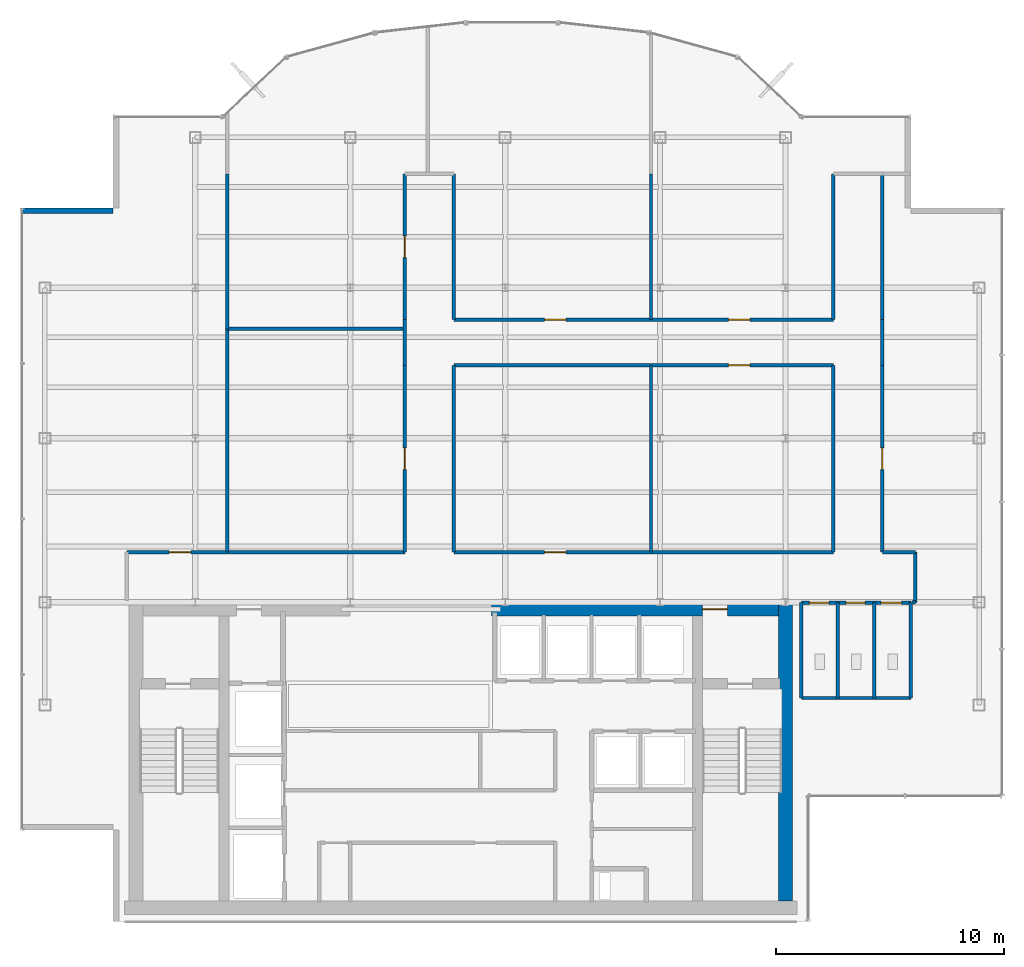
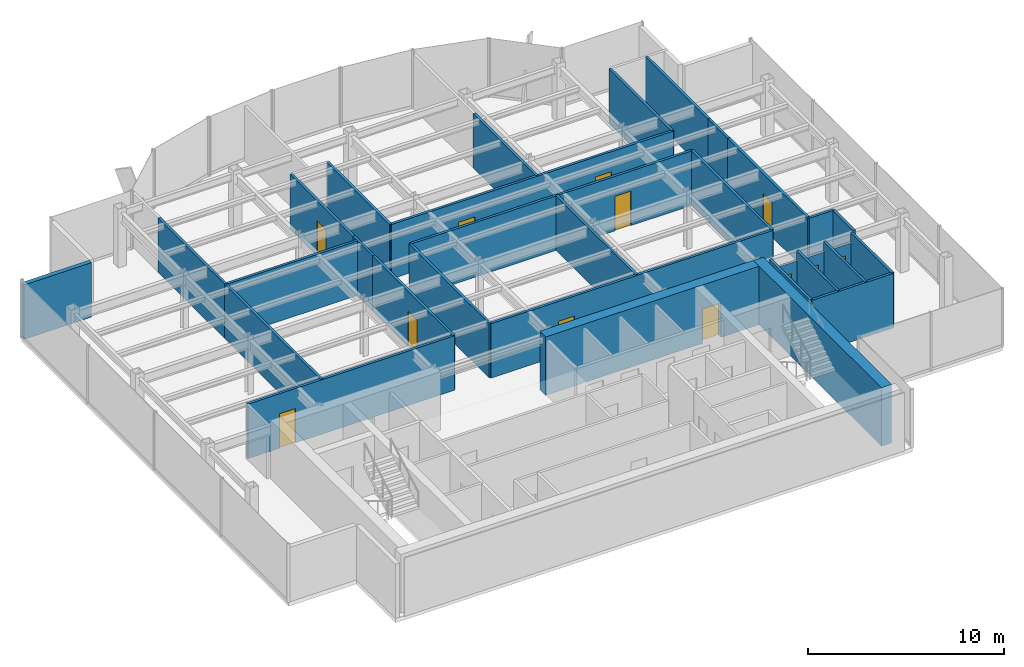
# One storey, part 18 of 22: 31 walls, 12 doors, 12 openings.
"""IFC4 building model written with IfcOpenShell, lengths in metres."""

import ifcopenshell
import ifcopenshell.guid

model = None  # the IFC model being written
_history = None  # IfcOwnerHistory: only IFC2X3 demands one
_inside = {}  # id of a spatial element -> (the spatial element, [elements in it])
_under = {}  # id of a project, library or spatial element -> (it, [spatial elements below it])
_declared = {}  # id of a project -> (the project, [libraries it declares])
_typed = {}  # id of a type object -> (the type object, [elements of that type])
_made_of = {}  # id of a material, layer set ... -> (it, [elements and type objects made of it])


def new_model(schema):
    """Start an empty IFC model of exactly this schema.

    Asked for "IFC4X3", IfcOpenShell would pick the latest addendum, in which some entities
    have other attributes; the version numbers below select the first issue.
    IFC2X3 requires an IfcOwnerHistory on every rooted entity: one is made here for all.
    """
    global model, _history
    if schema == "IFC4X3":
        model = ifcopenshell.file(schema_version=(4, 3, 0, 0))
    else:
        model = ifcopenshell.file(schema=schema)
    _inside.clear()
    _under.clear()
    _declared.clear()
    _typed.clear()
    _made_of.clear()
    _history = None
    if model.schema == "IFC2X3":
        org = make("IfcOrganization", Name="unknown")
        user = make(
            "IfcPersonAndOrganization",
            ThePerson=make("IfcPerson", FamilyName="unknown"),
            TheOrganization=org,
        )
        app = make(
            "IfcApplication",
            ApplicationDeveloper=org,
            Version="unknown",
            ApplicationFullName="unknown",
            ApplicationIdentifier="unknown",
        )
        _history = make(
            "IfcOwnerHistory",
            OwningUser=user,
            OwningApplication=app,
            ChangeAction="ADDED",
            CreationDate=0,
        )
    return model


def make(cls, **values):
    """One entity of the class cls with the attributes given. An attribute that is None is left unset."""
    return model.create_entity(
        cls, **{name: value for name, value in values.items() if value is not None}
    )


def rooted(cls, **values):
    """An entity with a GlobalId (a new one), such as an element, a storey or a relation."""
    return make(cls, GlobalId=ifcopenshell.guid.new(), OwnerHistory=_history, **values)


def si_unit(unit_type, name, prefix=None):
    """IfcSIUnit, for example si_unit("LENGTHUNIT", "METRE", prefix="MILLI")."""
    return make("IfcSIUnit", UnitType=unit_type, Prefix=prefix, Name=name)


def derived_unit(unit_type, elements):
    """IfcDerivedUnit: a product of units, each with its exponent."""
    return make(
        "IfcDerivedUnit",
        Elements=[
            make("IfcDerivedUnitElement", Unit=unit, Exponent=power)
            for unit, power in elements
        ],
        UnitType=unit_type,
    )


def assignment(units):
    """IfcUnitAssignment: the units of a project."""
    return None if units is None else make("IfcUnitAssignment", Units=units)


def point(xyz):
    """IfcCartesianPoint."""
    return None if xyz is None else make("IfcCartesianPoint", Coordinates=xyz)


def direction(xyz):
    """IfcDirection."""
    return None if xyz is None else make("IfcDirection", DirectionRatios=xyz)


def frame(location, z_axis=None, x_axis=None):
    """IfcAxis2Placement3D, a coordinate frame: its origin and axes. An axis left out is left unset."""
    return make(
        "IfcAxis2Placement3D",
        Location=point(location),
        Axis=direction(z_axis),
        RefDirection=direction(x_axis),
    )


def frame_2d(location, x_axis=None):
    """IfcAxis2Placement2D, a coordinate frame in the plane: its origin and x axis."""
    return make(
        "IfcAxis2Placement2D", Location=point(location), RefDirection=direction(x_axis)
    )


def origin():
    """The frame at (0, 0, 0) with its axes left unset."""
    return frame((0.0, 0.0, 0.0))


def place(relative_to, where):
    """IfcLocalPlacement: puts the frame where relative to a parent placement (None: the world)."""
    return make(
        "IfcLocalPlacement", PlacementRelTo=relative_to, RelativePlacement=where
    )


def context(
    kind, dimensions, precision=None, world=None, true_north=None, identifier=None
):
    """IfcGeometricRepresentationContext, for example the 3D "Model" context."""
    return make(
        "IfcGeometricRepresentationContext",
        ContextIdentifier=identifier,
        ContextType=kind,
        CoordinateSpaceDimension=dimensions,
        Precision=precision,
        WorldCoordinateSystem=world,
        TrueNorth=true_north,
    )


def subcontext(parent, identifier, kind, view, scale=None):
    """IfcGeometricRepresentationSubContext, for example "Body" below "Model"."""
    return make(
        "IfcGeometricRepresentationSubContext",
        ContextIdentifier=identifier,
        ContextType=kind,
        ParentContext=parent,
        TargetScale=scale,
        TargetView=view,
    )


def project(units=None, contexts=None):
    """IfcProject with its units and contexts."""
    return rooted(
        "IfcProject",
        Name="project",
        RepresentationContexts=contexts,
        UnitsInContext=assignment(units),
    )


def spatial(cls, under=None, at=None, **own):
    """A site, building, storey or space (cls), placed at a placement, below another one or the project."""
    s = rooted(cls, ObjectPlacement=at, **own)
    if under is not None:
        _under.setdefault(under.id(), (under, []))[1].append(s)
    return s


def profile(cls, at=None, kind="AREA", **sizes):
    """A parametric profile (cls). Its sizes go by their IFC names, for example OverallWidth=200.0."""
    return make(cls, ProfileType=kind, Position=at, **sizes)


def rectangle(**sizes):
    """IfcRectangleProfileDef."""
    return profile("IfcRectangleProfileDef", **sizes)


def extrude(swept, where, along, depth):
    """IfcExtrudedAreaSolid: the profile swept, set in the frame where, extruded along a direction by depth."""
    return make(
        "IfcExtrudedAreaSolid",
        SweptArea=swept,
        Position=where,
        ExtrudedDirection=direction(along),
        Depth=depth,
    )


def shape(context_of_items, identifier, shape_type, items):
    """IfcShapeRepresentation: the items that make up one representation, for example the "Body"."""
    return make(
        "IfcShapeRepresentation",
        ContextOfItems=context_of_items,
        RepresentationIdentifier=identifier,
        RepresentationType=shape_type,
        Items=items,
    )


def source(mapping_origin, context_of_items, identifier, shape_type, items):
    """IfcRepresentationMap: a shape defined once, which mapped items show again and again."""
    return make(
        "IfcRepresentationMap",
        MappingOrigin=mapping_origin,
        MappedRepresentation=shape(context_of_items, identifier, shape_type, items),
    )


def transform(
    local_origin,
    x_axis=None,
    y_axis=None,
    z_axis=None,
    scale=None,
    scale2=None,
    scale3=None,
    uniform=True,
):
    """IfcCartesianTransformationOperator3D, or its non-uniform kind. x_axis, y_axis, z_axis: its Axis1, 2, 3."""
    if uniform:
        return make(
            "IfcCartesianTransformationOperator3D",
            Axis1=direction(x_axis),
            Axis2=direction(y_axis),
            LocalOrigin=point(local_origin),
            Scale=scale,
            Axis3=direction(z_axis),
        )
    return make(
        "IfcCartesianTransformationOperator3DnonUniform",
        Axis1=direction(x_axis),
        Axis2=direction(y_axis),
        LocalOrigin=point(local_origin),
        Scale=scale,
        Axis3=direction(z_axis),
        Scale2=scale2,
        Scale3=scale3,
    )


def mapped(mapping_source, mapping_target):
    """IfcMappedItem: shows the shape of a source again, moved by a transform."""
    return make(
        "IfcMappedItem", MappingSource=mapping_source, MappingTarget=mapping_target
    )


def material(Name=None, Category=None):
    """IfcMaterial."""
    return make("IfcMaterial", Name=Name, Category=Category)


def layer(
    of_material, thickness, ventilated=None, Name=None, Category=None, Priority=None
):
    """IfcMaterialLayer: one layer of a wall or slab, of a material (None: an air gap)."""
    return make(
        "IfcMaterialLayer",
        Material=of_material,
        LayerThickness=thickness,
        IsVentilated=ventilated,
        Name=Name,
        Category=Category,
        Priority=Priority,
    )


def layer_set(layers, Name=None):
    """IfcMaterialLayerSet."""
    return make("IfcMaterialLayerSet", MaterialLayers=layers, LayerSetName=Name)


def made_of(thing, what):
    """Note that an element or type object is made of a material, layer set ...; save() writes the relation."""
    if what is not None:
        _made_of.setdefault(what.id(), (what, []))[1].append(thing)
    return thing


def type_object(cls, material=None, **own):
    """A type object (cls), such as IfcWallType, which elements share."""
    return made_of(rooted(cls, **own), material)


def element(
    cls,
    number,
    at=None,
    inside=None,
    cuts=None,
    type_object=None,
    material=None,
    context=None,
    identifier="Body",
    shape_type=None,
    held_by="IfcProductDefinitionShape",
    body=None,
    shapes=None,
    **own,
):
    """One element of the class cls, such as IfcWall. Its Tag is "e" and its number.

    at: its placement. inside: the storey or other place that contains it. cuts: it is an
    opening in that element (IfcRelVoidsElement). A single representation is given by context,
    identifier, shape_type and body (its items); several are given by shapes. held_by: the class
    of the entity that holds the representations. save() writes the other relations.
    """
    e = rooted(cls, Tag="e%d" % number, ObjectPlacement=at, **own)
    if body is not None:
        shapes = [shape(context, identifier, shape_type, body)]
    if shapes is not None:
        e.Representation = make(held_by, Representations=shapes)
    if inside is not None:
        _inside.setdefault(inside.id(), (inside, []))[1].append(e)
    if cuts is not None:
        rooted(
            "IfcRelVoidsElement", RelatingBuildingElement=cuts, RelatedOpeningElement=e
        )
    if type_object is not None:
        _typed.setdefault(type_object.id(), (type_object, []))[1].append(e)
    return made_of(e, material)


def fill(opening, filler):
    """IfcRelFillsElement: the door or window that sits in an opening."""
    return rooted(
        "IfcRelFillsElement",
        RelatingOpeningElement=opening,
        RelatedBuildingElement=filler,
    )


def aggregate(whole, parts):
    """IfcRelAggregates: a whole, such as a stair, and the parts it consists of."""
    return rooted("IfcRelAggregates", RelatingObject=whole, RelatedObjects=parts)


def save(model, path):
    """Write the relations noted so far, then the file.

    IfcRelAggregates (storeys below a building ...), IfcRelContainedInSpatialStructure (elements
    in a storey), IfcRelDefinesByType, IfcRelAssociatesMaterial and IfcRelDeclares: one each for
    every whole, place, type object, material and project.
    """
    for whole, parts in _under.values():
        aggregate(whole, parts)
    for where, things in _inside.values():
        rooted(
            "IfcRelContainedInSpatialStructure",
            RelatedElements=things,
            RelatingStructure=where,
        )
    for kind, things in _typed.values():
        rooted("IfcRelDefinesByType", RelatedObjects=things, RelatingType=kind)
    for what, things in _made_of.values():
        rooted("IfcRelAssociatesMaterial", RelatedObjects=things, RelatingMaterial=what)
    for by, libraries in _declared.values():
        rooted("IfcRelDeclares", RelatingContext=by, RelatedDefinitions=libraries)
    model.write(path)


model = new_model("IFC4")

# Units and contexts
model_context = context("Model", 3, precision=1e-05, world=origin(), true_north=direction((0.0, 1.0)))
body_context = subcontext(model_context, "Body", "Model", "MODEL_VIEW")
ifc_project = project(units=[si_unit("LENGTHUNIT", "METRE"), si_unit("AREAUNIT", "SQUARE_METRE"), si_unit("VOLUMEUNIT", "CUBIC_METRE"), si_unit("PLANEANGLEUNIT", "RADIAN"), si_unit("MASSUNIT", "GRAM", prefix="KILO"), derived_unit("THERMALTRANSMITTANCEUNIT", [(si_unit("POWERUNIT", "WATT"), 1), (si_unit("LENGTHUNIT", "METRE"), -2), (si_unit("THERMODYNAMICTEMPERATUREUNIT", "KELVIN"), -1)])], contexts=[model_context])

# Site, building, storey
site_placement = place(None, origin())
site = spatial("IfcSite", under=ifc_project, at=site_placement, CompositionType="ELEMENT")
building_placement = place(site_placement, origin())
building = spatial("IfcBuilding", under=site, at=building_placement, Name="Skarnbrae Concourse Arena and Tower", CompositionType="ELEMENT")
storey_placement = place(building_placement, frame((0.0, 0.0, 258.800048828125)))
storey = spatial("IfcBuildingStorey", under=building, at=storey_placement, Name="L67", CompositionType="ELEMENT", Elevation=258.800048828125)

# Wall
ifc_material_1 = material(Name="Concrete 50 MPa (C50/60)", Category="concrete")
ifc_layer_1 = layer(ifc_material_1, 0.60009765625)
ifc_layer_set_1 = layer_set([ifc_layer_1], Name="Concrete 50 MPa (C50/60)")
wall_type_1 = type_object("IfcWallType", Name="WALL-CORE-600-C50", PredefinedType="SHEAR", material=ifc_layer_set_1)
shared_shape_1 = source(origin(), body_context, "Body", "SweptSolid", [
    extrude(rectangle(XDim=13.10009765625, YDim=0.60009765625, at=frame_2d((6.550048828125, 0.0))), origin(), (0.0, 0.0, 1.0), 3.64990234375),
])
wall_1_placement = place(storey_placement, frame((33.5, 0.89990234375, 0.0), z_axis=(0.0, 0.0, 1.0), x_axis=(0.0, 1.0, 0.0)))
element("IfcWall", 1, at=wall_1_placement, inside=storey, type_object=wall_type_1, Name="L67 Rear core shear wall CW-E", PredefinedType="SHEAR", context=body_context, shape_type="MappedRepresentation", body=[
    mapped(shared_shape_1, transform((0.0, 0.0, 0.0))),
])

# Wall, opening, door
shared_shape_2 = source(origin(), body_context, "Body", "SweptSolid", [
    extrude(rectangle(XDim=12.599853515625, YDim=0.60009765625, at=frame_2d((6.2998046875, 0.0))), origin(), (0.0, 0.0, 1.0), 3.64990234375),
])
wall_2_placement = place(storey_placement, frame((20.60009765625, 13.699951171875, 0.0), z_axis=(0.0, 0.0, 1.0), x_axis=(1.0, 0.0, 0.0)))
wall_2 = element("IfcWall", 2, at=wall_2_placement, inside=storey, type_object=wall_type_1, Name="L67 Rear core shear wall CW-NE", PredefinedType="SHEAR", context=body_context, shape_type="MappedRepresentation", body=[
    mapped(shared_shape_2, transform((0.0, 0.0, 0.0))),
])
opening_1_placement = place(wall_2_placement, frame((9.25, 0.0, 0.0)))
opening_1 = element("IfcOpeningElement", 3, at=opening_1_placement, cuts=wall_2, Name="Opening DT-03", PredefinedType="OPENING", context=body_context, shape_type="SweptSolid", body=[
    extrude(rectangle(XDim=1.10009765625, YDim=2.14990234375, at=frame_2d((0.550048828125, 1.074951171875))), frame((0.0, 0.31005859375, 0.0), z_axis=(0.0, -1.0, 0.0), x_axis=(1.0, 0.0, 0.0)), (0.0, 0.0, 1.0), 0.6201171875),
])
ifc_material_2 = material(Name="Steel CSA G40.21 350W", Category="steel")
door_type_1 = type_object("IfcDoorType", Name="DOOR-FIRE-1100-90M", OperationType="NOTDEFINED", PredefinedType="DOOR", material=ifc_material_2)
shared_shape_3 = source(origin(), body_context, "Body", "SweptSolid", [
    extrude(rectangle(XDim=1.10009765625, YDim=2.14990234375, at=frame_2d((0.550048828125, 1.074951171875))), frame((0.0, 0.02490234375, 0.0), z_axis=(0.0, -1.0, 0.0), x_axis=(1.0, 0.0, 0.0)), (0.0, 0.0, 1.0), 0.050048828125),
])
door_1_placement = place(opening_1_placement, origin())
door_1 = element("IfcDoor", 4, at=door_1_placement, inside=storey, type_object=door_type_1, Name="D-2021 Stair ST-2 Vestibule Door", OperationType="SINGLE_SWING_LEFT", OverallHeight=2.14990234375, OverallWidth=1.10009765625, PredefinedType="DOOR", context=body_context, shape_type="MappedRepresentation", body=[
    mapped(shared_shape_3, transform((0.0, 0.0, 0.0))),
])
fill(opening_1, door_1)

# Walls
ifc_material_3 = material(Name="Precast concrete 40 MPa (C40/50)", Category="concrete")
ifc_layer_2 = layer(ifc_material_3, 0.25)
ifc_layer_set_2 = layer_set([ifc_layer_2], Name="Precast concrete 40 MPa (C40/50)")
wall_type_2 = type_object("IfcWallType", Name="WALL-EXT-SPANDREL-250", PredefinedType="STANDARD", material=ifc_layer_set_2)
shared_shape_4 = source(origin(), body_context, "Body", "SweptSolid", [
    extrude(rectangle(XDim=4.0, YDim=0.25, at=frame_2d((2.0, 0.0))), origin(), (0.0, 0.0, 1.0), 3.39990234375),
])
wall_3_placement = place(storey_placement, frame((4.0, 31.175048828125, 0.0), z_axis=(0.0, 0.0, 1.0), x_axis=(-1.0, 0.0, 0.0)))
element("IfcWall", 5, at=wall_3_placement, inside=storey, type_object=wall_type_2, Name="L67 Notched corner insulated return wall 17", PredefinedType="STANDARD", context=body_context, shape_type="MappedRepresentation", body=[
    mapped(shared_shape_4, transform((0.0, 0.0, 0.0))),
])
ifc_material_4 = material(Name="Gypsum board on cold-formed steel studs", Category="steel")
ifc_layer_3 = layer(ifc_material_4, 0.14990234375)
ifc_layer_set_3 = layer_set([ifc_layer_3], Name="Gypsum board on cold-formed steel studs")
wall_type_3 = type_object("IfcWallType", Name="WALL-PART-150", PredefinedType="PARTITIONING", material=ifc_layer_set_3)
shared_shape_5 = source(origin(), body_context, "Body", "SweptSolid", [
    extrude(rectangle(XDim=4.800048828125, YDim=0.14990234375, at=frame_2d((2.39990234375, 0.0))), origin(), (0.0, 0.0, 1.0), 3.39990234375),
])
wall_4_placement = place(storey_placement, frame((34.199951171875, 9.800048828125, 0.0), z_axis=(0.0, 0.0, 1.0), x_axis=(1.0, 0.0, 0.0)))
element("IfcWall", 6, at=wall_4_placement, inside=storey, type_object=wall_type_3, Name="L67 Interior partition wall W-L67-WC-S", PredefinedType="PARTITIONING", context=body_context, shape_type="MappedRepresentation", body=[
    mapped(shared_shape_5, transform((0.0, 0.0, 0.0))),
])
shared_shape_6 = source(origin(), body_context, "Body", "SweptSolid", [
    extrude(rectangle(XDim=4.179931640625, YDim=0.14990234375, at=frame_2d((2.08984375, 0.0))), origin(), (0.0, 0.0, 1.0), 3.39990234375),
])
for number, where, z_axis, x_axis, name in (
    (7, (39.0, 9.800048828125, 0.0), (0.0, 0.0, 1.0), (0.0, 1.0, 0.0), "L67 Interior partition wall W-L67-WC-E"),
    (8, (34.199951171875, 9.800048828125, 0.0), (0.0, 0.0, 1.0), (0.0, 1.0, 0.0), "L67 Interior partition wall W-L67-WC-W"),
    (9, (35.800048828125, 9.800048828125, 0.0), (0.0, 0.0, 1.0), (0.0, 1.0, 0.0), "L67 Interior partition wall W-L67-WC-D1"),
    (10, (37.39990234375, 9.800048828125, 0.0), (0.0, 0.0, 1.0), (0.0, 1.0, 0.0), "L67 Interior partition wall W-L67-WC-D2"),
):
    element("IfcWall", number, at=place(storey_placement, frame(where, z_axis=z_axis, x_axis=x_axis)), inside=storey, type_object=wall_type_3, Name=name, PredefinedType="PARTITIONING", context=body_context, shape_type="MappedRepresentation", body=[
        mapped(shared_shape_6, transform((0.0, 0.0, 0.0))),
    ])
ifc_layer_4 = layer(ifc_material_4, 0.14990234375)
ifc_layer_set_4 = layer_set([ifc_layer_4], Name="Gypsum board on cold-formed steel studs")
wall_type_4 = type_object("IfcWallType", Name="WALL-PART-150-1HR", PredefinedType="PARTITIONING", material=ifc_layer_set_4)
shared_shape_7 = source(origin(), body_context, "Body", "SweptSolid", [
    extrude(rectangle(XDim=2.199951171875, YDim=0.14990234375, at=frame_2d((1.10009765625, 0.0))), origin(), (0.0, 0.0, 1.0), 3.39990234375),
])
wall_5_placement = place(storey_placement, frame((39.199951171875, 16.199951171875, 0.0), z_axis=(0.0, 0.0, 1.0), x_axis=(0.0, -1.0, 0.0)))
element("IfcWall", 11, at=wall_5_placement, inside=storey, type_object=wall_type_4, Name="L67 Interior partition wall W-L67-COR-15", PredefinedType="PARTITIONING", context=body_context, shape_type="MappedRepresentation", body=[
    mapped(shared_shape_7, transform((0.0, 0.0, 0.0))),
])

# Wall, opening, door
shared_shape_8 = source(origin(), body_context, "Body", "SweptSolid", [
    extrude(rectangle(XDim=12.199951171875, YDim=0.14990234375, at=frame_2d((6.10009765625, 0.0))), origin(), (0.0, 0.0, 1.0), 3.39990234375),
])
wall_6_placement = place(storey_placement, frame((4.60009765625, 16.199951171875, 0.0), z_axis=(0.0, 0.0, 1.0), x_axis=(1.0, 0.0, 0.0)))
wall_6 = element("IfcWall", 12, at=wall_6_placement, inside=storey, type_object=wall_type_4, Name="L67 Interior partition wall W-L67-COR-02", PredefinedType="PARTITIONING", context=body_context, shape_type="MappedRepresentation", body=[
    mapped(shared_shape_8, transform((0.0, 0.0, 0.0))),
])
opening_2_placement = place(wall_6_placement, frame((1.85498046875, 0.0, 0.0)))
opening_2 = element("IfcOpeningElement", 13, at=opening_2_placement, cuts=wall_6, Name="Opening DT-04", PredefinedType="OPENING", context=body_context, shape_type="SweptSolid", body=[
    extrude(rectangle(XDim=0.949951171875, YDim=2.14990234375, at=frame_2d((0.47509765625, 1.074951171875))), frame((0.0, 0.0849609375, 0.0), z_axis=(0.0, -1.0, 0.0), x_axis=(1.0, 0.0, 0.0)), (0.0, 0.0, 1.0), 0.169921875),
])
door_type_2 = type_object("IfcDoorType", Name="DOOR-INT-950-45M", OperationType="NOTDEFINED", PredefinedType="DOOR", material=ifc_material_2)
shared_shape_9 = source(origin(), body_context, "Body", "SweptSolid", [
    extrude(rectangle(XDim=0.949951171875, YDim=2.14990234375, at=frame_2d((0.47509765625, 1.074951171875))), frame((0.0, 0.02490234375, 0.0), z_axis=(0.0, -1.0, 0.0), x_axis=(1.0, 0.0, 0.0)), (0.0, 0.0, 1.0), 0.050048828125),
])
door_2_placement = place(opening_2_placement, origin())
door_2 = element("IfcDoor", 14, at=door_2_placement, inside=storey, type_object=door_type_2, Name="D-2040 L67 Suite Door 01", OperationType="SINGLE_SWING_LEFT", OverallHeight=2.14990234375, OverallWidth=0.949951171875, PredefinedType="DOOR", context=body_context, shape_type="MappedRepresentation", body=[
    mapped(shared_shape_9, transform((0.0, 0.0, 0.0))),
])
fill(opening_2, door_2)

shared_shape_10 = source(origin(), body_context, "Body", "SweptSolid", [
    extrude(rectangle(XDim=8.199951171875, YDim=0.14990234375, at=frame_2d((4.10009765625, 0.0))), origin(), (0.0, 0.0, 1.0), 3.39990234375),
])
wall_7_placement = place(storey_placement, frame((16.800048828125, 16.199951171875, 0.0), z_axis=(0.0, 0.0, 1.0), x_axis=(0.0, 1.0, 0.0)))
wall_7 = element("IfcWall", 15, at=wall_7_placement, inside=storey, type_object=wall_type_4, Name="L67 Interior partition wall W-L67-COR-03", PredefinedType="PARTITIONING", context=body_context, shape_type="MappedRepresentation", body=[
    mapped(shared_shape_10, transform((0.0, 0.0, 0.0))),
])
opening_3_placement = place(wall_7_placement, frame((3.625, 0.0, 0.0)))
opening_3 = element("IfcOpeningElement", 16, at=opening_3_placement, cuts=wall_7, Name="Opening DT-04", PredefinedType="OPENING", context=body_context, shape_type="SweptSolid", body=[
    extrude(rectangle(XDim=0.949951171875, YDim=2.14990234375, at=frame_2d((0.47509765625, 1.074951171875))), frame((0.0, 0.0849609375, 0.0), z_axis=(0.0, -1.0, 0.0), x_axis=(1.0, 0.0, 0.0)), (0.0, 0.0, 1.0), 0.169921875),
])
door_3_placement = place(opening_3_placement, origin())
door_3 = element("IfcDoor", 17, at=door_3_placement, inside=storey, type_object=door_type_2, Name="D-2041 L67 Suite Door 02", OperationType="SINGLE_SWING_RIGHT", OverallHeight=2.14990234375, OverallWidth=0.949951171875, PredefinedType="DOOR", context=body_context, shape_type="MappedRepresentation", body=[
    mapped(shared_shape_9, transform((0.0, 0.0, 0.0))),
])
fill(opening_3, door_3)

wall_8_placement = place(storey_placement, frame((37.75, 24.39990234375, 0.0), z_axis=(0.0, 0.0, 1.0), x_axis=(0.0, -1.0, 0.0)))
wall_8 = element("IfcWall", 18, at=wall_8_placement, inside=storey, type_object=wall_type_4, Name="L67 Interior partition wall W-L67-COR-13", PredefinedType="PARTITIONING", context=body_context, shape_type="MappedRepresentation", body=[
    mapped(shared_shape_10, transform((0.0, 0.0, 0.0))),
])
opening_4_placement = place(wall_8_placement, frame((3.625, 0.0, 0.0)))
opening_4 = element("IfcOpeningElement", 19, at=opening_4_placement, cuts=wall_8, Name="Opening DT-04", PredefinedType="OPENING", context=body_context, shape_type="SweptSolid", body=[
    extrude(rectangle(XDim=0.949951171875, YDim=2.14990234375, at=frame_2d((0.47509765625, 1.074951171875))), frame((0.0, 0.0849609375, 0.0), z_axis=(0.0, -1.0, 0.0), x_axis=(1.0, 0.0, 0.0)), (0.0, 0.0, 1.0), 0.169921875),
])
door_4_placement = place(opening_4_placement, origin())
door_4 = element("IfcDoor", 20, at=door_4_placement, inside=storey, type_object=door_type_2, Name="D-2047 L67 Suite Door 08", OperationType="SINGLE_SWING_RIGHT", OverallHeight=2.14990234375, OverallWidth=0.949951171875, PredefinedType="DOOR", context=body_context, shape_type="MappedRepresentation", body=[
    mapped(shared_shape_9, transform((0.0, 0.0, 0.0))),
])
fill(opening_4, door_4)

# Walls
for number, where, z_axis, x_axis, name in (
    (21, (35.60009765625, 16.199951171875, 0.0), (0.0, 0.0, 1.0), (0.0, 1.0, 0.0), "L67 Interior partition wall W-L67-COR-18"),
    (22, (18.949951171875, 24.39990234375, 0.0), (0.0, 0.0, 1.0), (0.0, -1.0, 0.0), "L67 Interior partition wall W-L67-COR-20"),
):
    element("IfcWall", number, at=place(storey_placement, frame(where, z_axis=z_axis, x_axis=x_axis)), inside=storey, type_object=wall_type_4, Name=name, PredefinedType="PARTITIONING", context=body_context, shape_type="MappedRepresentation", body=[
        mapped(shared_shape_10, transform((0.0, 0.0, 0.0))),
    ])
wall_9_placement = place(storey_placement, frame((27.60009765625, 24.39990234375, 0.0), z_axis=(0.0, 0.0, 1.0), x_axis=(0.0, -1.0, 0.0)))
element("IfcWall", 23, at=wall_9_placement, inside=storey, type_object=wall_type_3, Name="L67 Interior partition wall W-L67-DEM-26", PredefinedType="PARTITIONING", context=body_context, shape_type="MappedRepresentation", body=[
    mapped(shared_shape_10, transform((0.0, 0.0, 0.0))),
])
shared_shape_11 = source(origin(), body_context, "Body", "SweptSolid", [
    extrude(rectangle(XDim=7.800048828125, YDim=0.14990234375, at=frame_2d((3.89990234375, 0.0))), origin(), (0.0, 0.0, 1.0), 3.39990234375),
])
wall_10_placement = place(storey_placement, frame((9.0, 26.0, 0.0), z_axis=(0.0, 0.0, 1.0), x_axis=(1.0, 0.0, 0.0)))
element("IfcWall", 24, at=wall_10_placement, inside=storey, type_object=wall_type_3, Name="L67 Interior partition wall W-L67-DEM-22", PredefinedType="PARTITIONING", context=body_context, shape_type="MappedRepresentation", body=[
    mapped(shared_shape_11, transform((0.0, 0.0, 0.0))),
])
shared_shape_12 = source(origin(), body_context, "Body", "SweptSolid", [
    extrude(rectangle(XDim=1.449951171875, YDim=0.14990234375, at=frame_2d((0.72509765625, 0.0))), origin(), (0.0, 0.0, 1.0), 3.39990234375),
])
wall_11_placement = place(storey_placement, frame((37.75, 16.199951171875, 0.0), z_axis=(0.0, 0.0, 1.0), x_axis=(1.0, 0.0, 0.0)))
element("IfcWall", 25, at=wall_11_placement, inside=storey, type_object=wall_type_4, Name="L67 Interior partition wall W-L67-COR-14", PredefinedType="PARTITIONING", context=body_context, shape_type="MappedRepresentation", body=[
    mapped(shared_shape_12, transform((0.0, 0.0, 0.0))),
])

# Wall, openings, doors
shared_shape_13 = source(origin(), body_context, "Body", "SweptSolid", [
    extrude(rectangle(XDim=4.800048828125, YDim=0.14990234375, at=frame_2d((2.39990234375, 0.0))), origin(), (0.0, 0.0, 1.0), 2.786865234375),
])
wall_12_placement = place(storey_placement, frame((34.199951171875, 13.97998046875, 0.0), z_axis=(0.0, 0.0, 1.0), x_axis=(1.0, 0.0, 0.0)))
wall_12 = element("IfcWall", 26, at=wall_12_placement, inside=storey, type_object=wall_type_3, Name="L67 Interior partition wall W-L67-WC-N", PredefinedType="PARTITIONING", context=body_context, shape_type="MappedRepresentation", body=[
    mapped(shared_shape_13, transform((0.0, 0.0, 0.0))),
])
opening_5_placement = place(wall_12_placement, frame((0.35009765625, 0.0, 0.0)))
opening_5 = element("IfcOpeningElement", 27, at=opening_5_placement, cuts=wall_12, Name="Opening DT-06", PredefinedType="OPENING", context=body_context, shape_type="SweptSolid", body=[
    extrude(rectangle(XDim=0.85009765625, YDim=2.10009765625, at=frame_2d((0.425048828125, 1.050048828125))), frame((0.0, 0.0849609375, 0.0), z_axis=(0.0, -1.0, 0.0), x_axis=(1.0, 0.0, 0.0)), (0.0, 0.0, 1.0), 0.169921875),
])
opening_6_placement = place(wall_12_placement, frame((1.949951171875, 0.0, 0.0)))
opening_6 = element("IfcOpeningElement", 28, at=opening_6_placement, cuts=wall_12, Name="Opening DT-06", PredefinedType="OPENING", context=body_context, shape_type="SweptSolid", body=[
    extrude(rectangle(XDim=0.85009765625, YDim=2.10009765625, at=frame_2d((0.425048828125, 1.050048828125))), frame((0.0, 0.0849609375, 0.0), z_axis=(0.0, -1.0, 0.0), x_axis=(1.0, 0.0, 0.0)), (0.0, 0.0, 1.0), 0.169921875),
])
opening_7_placement = place(wall_12_placement, frame((3.5, 0.0, 0.0)))
opening_7 = element("IfcOpeningElement", 29, at=opening_7_placement, cuts=wall_12, Name="Opening DT-05", PredefinedType="OPENING", context=body_context, shape_type="SweptSolid", body=[
    extrude(rectangle(XDim=0.89990234375, YDim=2.10009765625, at=frame_2d((0.449951171875, 1.050048828125))), frame((0.0, 0.0849609375, 0.0), z_axis=(0.0, -1.0, 0.0), x_axis=(1.0, 0.0, 0.0)), (0.0, 0.0, 1.0), 0.169921875),
])
ifc_material_5 = material(Name="Architectural oak veneer timber leaf", Category="wood")
door_type_3 = type_object("IfcDoorType", Name="DOOR-INT-850", OperationType="NOTDEFINED", PredefinedType="DOOR", material=ifc_material_5)
shared_shape_14 = source(origin(), body_context, "Body", "SweptSolid", [
    extrude(rectangle(XDim=0.85009765625, YDim=2.10009765625, at=frame_2d((0.425048828125, 1.050048828125))), frame((0.0, 0.02490234375, 0.0), z_axis=(0.0, -1.0, 0.0), x_axis=(1.0, 0.0, 0.0)), (0.0, 0.0, 1.0), 0.050048828125),
])
door_5_placement = place(opening_5_placement, frame((0.85009765625, 0.0, 0.0), z_axis=(0.0, 0.0, 1.0), x_axis=(-1.0, 0.0, 0.0)))
door_5 = element("IfcDoor", 30, at=door_5_placement, inside=storey, type_object=door_type_3, Name="D-2037 Male Washroom Door", OperationType="SINGLE_SWING_LEFT", OverallHeight=2.10009765625, OverallWidth=0.85009765625, PredefinedType="DOOR", context=body_context, shape_type="MappedRepresentation", body=[
    mapped(shared_shape_14, transform((0.0, 0.0, 0.0))),
])
fill(opening_5, door_5)
door_6_placement = place(opening_6_placement, frame((0.85009765625, 0.0, 0.0), z_axis=(0.0, 0.0, 1.0), x_axis=(-1.0, 0.0, 0.0)))
door_6 = element("IfcDoor", 31, at=door_6_placement, inside=storey, type_object=door_type_3, Name="D-2038 Female Washroom Door", OperationType="SINGLE_SWING_RIGHT", OverallHeight=2.10009765625, OverallWidth=0.85009765625, PredefinedType="DOOR", context=body_context, shape_type="MappedRepresentation", body=[
    mapped(shared_shape_14, transform((0.0, 0.0, 0.0))),
])
fill(opening_6, door_6)
door_type_4 = type_object("IfcDoorType", Name="DOOR-INT-900", OperationType="NOTDEFINED", PredefinedType="DOOR", material=ifc_material_5)
shared_shape_15 = source(origin(), body_context, "Body", "SweptSolid", [
    extrude(rectangle(XDim=0.89990234375, YDim=2.10009765625, at=frame_2d((0.449951171875, 1.050048828125))), frame((0.0, 0.02490234375, 0.0), z_axis=(0.0, -1.0, 0.0), x_axis=(1.0, 0.0, 0.0)), (0.0, 0.0, 1.0), 0.050048828125),
])
door_7_placement = place(opening_7_placement, frame((0.89990234375, 0.0, 0.0), z_axis=(0.0, 0.0, 1.0), x_axis=(-1.0, 0.0, 0.0)))
door_7 = element("IfcDoor", 32, at=door_7_placement, inside=storey, type_object=door_type_4, Name="D-2039 Accessible WC Door", OperationType="SINGLE_SWING_LEFT", OverallHeight=2.10009765625, OverallWidth=0.89990234375, PredefinedType="DOOR", context=body_context, shape_type="MappedRepresentation", body=[
    mapped(shared_shape_15, transform((0.0, 0.0, 0.0))),
])
fill(opening_7, door_7)

# Walls
shared_shape_16 = source(origin(), body_context, "Body", "SweptSolid", [
    extrude(rectangle(XDim=0.14990234375, YDim=0.14990234375, at=frame_2d((0.074951171875, 0.0))), origin(), (0.0, 0.0, 1.0), 3.39990234375),
])
wall_13_placement = place(storey_placement, frame((39.199951171875, 14.0, 0.0), z_axis=(0.0, 0.0, 1.0), x_axis=(-1.0, 0.0, 0.0)))
element("IfcWall", 33, at=wall_13_placement, inside=storey, type_object=wall_type_4, Name="L67 Interior partition wall W-L67-COR-16", PredefinedType="PARTITIONING", context=body_context, shape_type="MappedRepresentation", body=[
    mapped(shared_shape_16, transform((0.0, 0.0, 0.0))),
])
shared_shape_17 = source(origin(), body_context, "Body", "SweptSolid", [
    extrude(rectangle(XDim=6.800048828125, YDim=0.14990234375, at=frame_2d((3.39990234375, 0.0))), origin(), (0.0, 0.0, 1.0), 3.39990234375),
])
wall_14_placement = place(storey_placement, frame((9.0, 32.800048828125, 0.0), z_axis=(0.0, 0.0, 1.0), x_axis=(0.0, -1.0, 0.0)))
element("IfcWall", 34, at=wall_14_placement, inside=storey, type_object=wall_type_3, Name="L67 Interior partition wall W-L67-DEM-24", PredefinedType="PARTITIONING", context=body_context, shape_type="MappedRepresentation", body=[
    mapped(shared_shape_17, transform((0.0, 0.0, 0.0))),
])
shared_shape_18 = source(origin(), body_context, "Body", "SweptSolid", [
    extrude(rectangle(XDim=2.0, YDim=0.14990234375, at=frame_2d((1.0, 0.0))), origin(), (0.0, 0.0, 1.0), 3.39990234375),
])
for number, where, z_axis, x_axis, name in (
    (35, (16.800048828125, 24.39990234375, 0.0), (0.0, 0.0, 1.0), (0.0, 1.0, 0.0), "L67 Interior partition wall W-L67-COR-04"),
    (36, (37.75, 26.39990234375, 0.0), (0.0, 0.0, 1.0), (0.0, -1.0, 0.0), "L67 Interior partition wall W-L67-COR-12"),
):
    element("IfcWall", number, at=place(storey_placement, frame(where, z_axis=z_axis, x_axis=x_axis)), inside=storey, type_object=wall_type_4, Name=name, PredefinedType="PARTITIONING", context=body_context, shape_type="MappedRepresentation", body=[
        mapped(shared_shape_18, transform((0.0, 0.0, 0.0))),
    ])

# Wall, opening, door
shared_shape_19 = source(origin(), body_context, "Body", "SweptSolid", [
    extrude(rectangle(XDim=6.400146484375, YDim=0.14990234375, at=frame_2d((3.2001953125, 0.0))), origin(), (0.0, 0.0, 1.0), 3.39990234375),
])
wall_15_placement = place(storey_placement, frame((16.800048828125, 26.39990234375, 0.0), z_axis=(0.0, 0.0, 1.0), x_axis=(0.0, 1.0, 0.0)))
wall_15 = element("IfcWall", 37, at=wall_15_placement, inside=storey, type_object=wall_type_4, Name="L67 Interior partition wall W-L67-COR-05", PredefinedType="PARTITIONING", context=body_context, shape_type="MappedRepresentation", body=[
    mapped(shared_shape_19, transform((0.0, 0.0, 0.0))),
])
opening_8_placement = place(wall_15_placement, frame((2.72509765625, 0.0, 0.0)))
opening_8 = element("IfcOpeningElement", 38, at=opening_8_placement, cuts=wall_15, Name="Opening DT-04", PredefinedType="OPENING", context=body_context, shape_type="SweptSolid", body=[
    extrude(rectangle(XDim=0.949951171875, YDim=2.14990234375, at=frame_2d((0.47509765625, 1.074951171875))), frame((0.0, 0.0849609375, 0.0), z_axis=(0.0, -1.0, 0.0), x_axis=(1.0, 0.0, 0.0)), (0.0, 0.0, 1.0), 0.169921875),
])
door_8_placement = place(opening_8_placement, origin())
door_8 = element("IfcDoor", 39, at=door_8_placement, inside=storey, type_object=door_type_2, Name="D-2042 L67 Suite Door 03", OperationType="SINGLE_SWING_LEFT", OverallHeight=2.14990234375, OverallWidth=0.949951171875, PredefinedType="DOOR", context=body_context, shape_type="MappedRepresentation", body=[
    mapped(shared_shape_9, transform((0.0, 0.0, 0.0))),
])
fill(opening_8, door_8)

# Walls
for number, where, z_axis, x_axis, name in (
    (40, (18.949951171875, 32.800048828125, 0.0), (0.0, 0.0, 1.0), (0.0, -1.0, 0.0), "L67 Interior partition wall W-L67-COR-07"),
    (41, (35.60009765625, 26.39990234375, 0.0), (0.0, 0.0, 1.0), (0.0, 1.0, 0.0), "L67 Interior partition wall W-L67-COR-09"),
    (42, (37.75, 32.800048828125, 0.0), (0.0, 0.0, 1.0), (0.0, -1.0, 0.0), "L67 Interior partition wall W-L67-COR-11"),
):
    element("IfcWall", number, at=place(storey_placement, frame(where, z_axis=z_axis, x_axis=x_axis)), inside=storey, type_object=wall_type_4, Name=name, PredefinedType="PARTITIONING", context=body_context, shape_type="MappedRepresentation", body=[
        mapped(shared_shape_19, transform((0.0, 0.0, 0.0))),
    ])
wall_16_placement = place(storey_placement, frame((27.60009765625, 32.800048828125, 0.0), z_axis=(0.0, 0.0, 1.0), x_axis=(0.0, -1.0, 0.0)))
element("IfcWall", 43, at=wall_16_placement, inside=storey, type_object=wall_type_3, Name="L67 Interior partition wall W-L67-DEM-28", PredefinedType="PARTITIONING", context=body_context, shape_type="MappedRepresentation", body=[
    mapped(shared_shape_19, transform((0.0, 0.0, 0.0))),
])

# Wall, openings, doors
shared_shape_20 = source(origin(), body_context, "Body", "SweptSolid", [
    extrude(rectangle(XDim=16.650146484375, YDim=0.14990234375, at=frame_2d((8.3251953125, 0.0))), origin(), (0.0, 0.0, 1.0), 3.39990234375),
])
wall_17_placement = place(storey_placement, frame((18.949951171875, 26.39990234375, 0.0), z_axis=(0.0, 0.0, 1.0), x_axis=(1.0, 0.0, 0.0)))
wall_17 = element("IfcWall", 44, at=wall_17_placement, inside=storey, type_object=wall_type_4, Name="L67 Interior partition wall W-L67-COR-08", PredefinedType="PARTITIONING", context=body_context, shape_type="MappedRepresentation", body=[
    mapped(shared_shape_20, transform((0.0, 0.0, 0.0))),
])
opening_9_placement = place(wall_17_placement, frame((3.97998046875, 0.0, 0.0)))
opening_9 = element("IfcOpeningElement", 45, at=opening_9_placement, cuts=wall_17, Name="Opening DT-04", PredefinedType="OPENING", context=body_context, shape_type="SweptSolid", body=[
    extrude(rectangle(XDim=0.949951171875, YDim=2.14990234375, at=frame_2d((0.47509765625, 1.074951171875))), frame((0.0, 0.0849609375, 0.0), z_axis=(0.0, -1.0, 0.0), x_axis=(1.0, 0.0, 0.0)), (0.0, 0.0, 1.0), 0.169921875),
])
opening_10_placement = place(wall_17_placement, frame((12.044921875, 0.0, 0.0)))
opening_10 = element("IfcOpeningElement", 46, at=opening_10_placement, cuts=wall_17, Name="Opening DT-04", PredefinedType="OPENING", context=body_context, shape_type="SweptSolid", body=[
    extrude(rectangle(XDim=0.949951171875, YDim=2.14990234375, at=frame_2d((0.47509765625, 1.074951171875))), frame((0.0, 0.0849609375, 0.0), z_axis=(0.0, -1.0, 0.0), x_axis=(1.0, 0.0, 0.0)), (0.0, 0.0, 1.0), 0.169921875),
])
door_9_placement = place(opening_9_placement, origin())
door_9 = element("IfcDoor", 47, at=door_9_placement, inside=storey, type_object=door_type_2, Name="D-2043 L67 Suite Door 04", OperationType="SINGLE_SWING_RIGHT", OverallHeight=2.14990234375, OverallWidth=0.949951171875, PredefinedType="DOOR", context=body_context, shape_type="MappedRepresentation", body=[
    mapped(shared_shape_9, transform((0.0, 0.0, 0.0))),
])
fill(opening_9, door_9)
door_10_placement = place(opening_10_placement, origin())
door_10 = element("IfcDoor", 48, at=door_10_placement, inside=storey, type_object=door_type_2, Name="D-2046 L67 Suite Door 07", OperationType="SINGLE_SWING_LEFT", OverallHeight=2.14990234375, OverallWidth=0.949951171875, PredefinedType="DOOR", context=body_context, shape_type="MappedRepresentation", body=[
    mapped(shared_shape_9, transform((0.0, 0.0, 0.0))),
])
fill(opening_10, door_10)

# Wall, opening, door
wall_18_placement = place(storey_placement, frame((18.949951171875, 16.199951171875, 0.0), z_axis=(0.0, 0.0, 1.0), x_axis=(1.0, 0.0, 0.0)))
wall_18 = element("IfcWall", 49, at=wall_18_placement, inside=storey, type_object=wall_type_4, Name="L67 Interior partition wall W-L67-COR-17", PredefinedType="PARTITIONING", context=body_context, shape_type="MappedRepresentation", body=[
    mapped(shared_shape_20, transform((0.0, 0.0, 0.0))),
])
opening_11_placement = place(wall_18_placement, frame((3.97998046875, 0.0, 0.0)))
opening_11 = element("IfcOpeningElement", 50, at=opening_11_placement, cuts=wall_18, Name="Opening DT-04", PredefinedType="OPENING", context=body_context, shape_type="SweptSolid", body=[
    extrude(rectangle(XDim=0.949951171875, YDim=2.14990234375, at=frame_2d((0.47509765625, 1.074951171875))), frame((0.0, 0.0849609375, 0.0), z_axis=(0.0, -1.0, 0.0), x_axis=(1.0, 0.0, 0.0)), (0.0, 0.0, 1.0), 0.169921875),
])
door_11_placement = place(opening_11_placement, origin())
door_11 = element("IfcDoor", 51, at=door_11_placement, inside=storey, type_object=door_type_2, Name="D-2044 L67 Suite Door 05", OperationType="SINGLE_SWING_LEFT", OverallHeight=2.14990234375, OverallWidth=0.949951171875, PredefinedType="DOOR", context=body_context, shape_type="MappedRepresentation", body=[
    mapped(shared_shape_9, transform((0.0, 0.0, 0.0))),
])
fill(opening_11, door_11)

wall_19_placement = place(storey_placement, frame((35.60009765625, 24.39990234375, 0.0), z_axis=(0.0, 0.0, 1.0), x_axis=(-1.0, 0.0, 0.0)))
wall_19 = element("IfcWall", 52, at=wall_19_placement, inside=storey, type_object=wall_type_4, Name="L67 Interior partition wall W-L67-COR-19", PredefinedType="PARTITIONING", context=body_context, shape_type="MappedRepresentation", body=[
    mapped(shared_shape_20, transform((0.0, 0.0, 0.0))),
])
opening_12_placement = place(wall_19_placement, frame((3.655029296875, 0.0, 0.0)))
opening_12 = element("IfcOpeningElement", 53, at=opening_12_placement, cuts=wall_19, Name="Opening DT-04", PredefinedType="OPENING", context=body_context, shape_type="SweptSolid", body=[
    extrude(rectangle(XDim=0.949951171875, YDim=2.14990234375, at=frame_2d((0.47509765625, 1.074951171875))), frame((0.0, 0.0849609375, 0.0), z_axis=(0.0, -1.0, 0.0), x_axis=(1.0, 0.0, 0.0)), (0.0, 0.0, 1.0), 0.169921875),
])
door_12_placement = place(opening_12_placement, origin())
door_12 = element("IfcDoor", 54, at=door_12_placement, inside=storey, type_object=door_type_2, Name="D-2045 L67 Suite Door 06", OperationType="SINGLE_SWING_RIGHT", OverallHeight=2.14990234375, OverallWidth=0.949951171875, PredefinedType="DOOR", context=body_context, shape_type="MappedRepresentation", body=[
    mapped(shared_shape_9, transform((0.0, 0.0, 0.0))),
])
fill(opening_12, door_12)

# Wall
shared_shape_21 = source(origin(), body_context, "Body", "SweptSolid", [
    extrude(rectangle(XDim=9.800048828125, YDim=0.14990234375, at=frame_2d((4.89990234375, 0.0))), origin(), (0.0, 0.0, 1.0), 3.39990234375),
])
wall_20_placement = place(storey_placement, frame((9.0, 26.0, 0.0), z_axis=(0.0, 0.0, 1.0), x_axis=(0.0, -1.0, 0.0)))
element("IfcWall", 55, at=wall_20_placement, inside=storey, type_object=wall_type_3, Name="L67 Interior partition wall W-L67-DEM-21", PredefinedType="PARTITIONING", context=body_context, shape_type="MappedRepresentation", body=[
    mapped(shared_shape_21, transform((0.0, 0.0, 0.0))),
])

save(model, "model.ifc")
